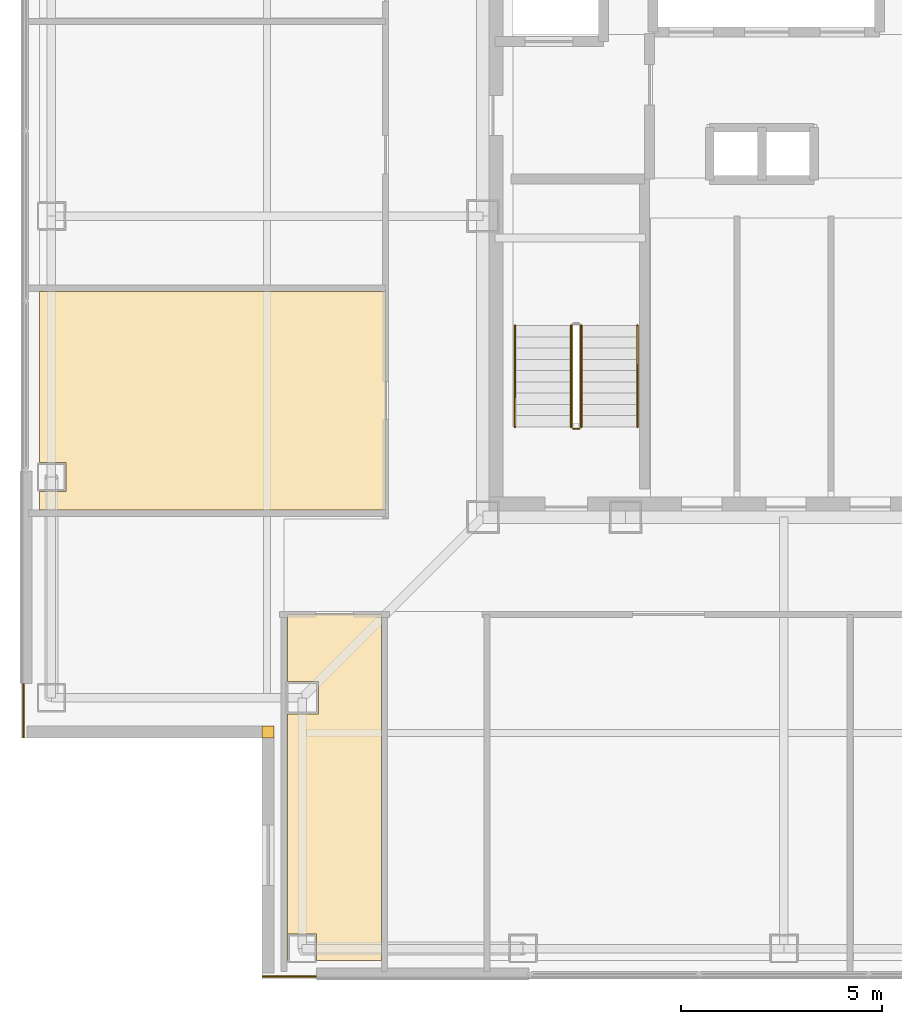
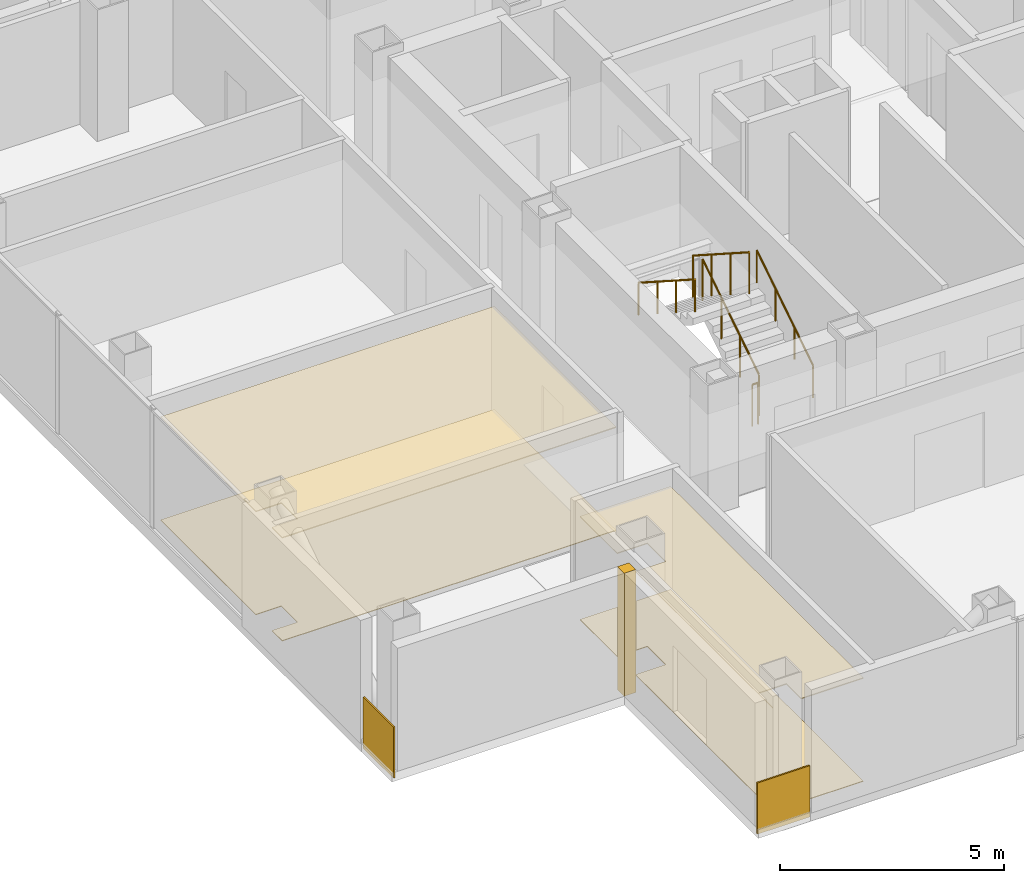
# One storey, part 11 of 16: 7 coverings, 5 railings.
"""IFC4 building model written with IfcOpenShell, lengths in metres."""

from ifc_helpers import new_model, si_unit, direction, frame, frame_2d, origin, origin_2d, place, context, subcontext, project, spatial, polyline, rectangle, circle, outline, extrude, material, layer, layer_set, type_object, element, save


model = new_model("IFC4")

# Units and contexts
model_context = context("Model", 3, precision=1e-05, world=origin(), true_north=direction((0.0, 1.0)))
body_context = subcontext(model_context, "Body", "Model", "MODEL_VIEW")
ifc_project = project(units=[si_unit("LENGTHUNIT", "METRE"), si_unit("AREAUNIT", "SQUARE_METRE"), si_unit("VOLUMEUNIT", "CUBIC_METRE"), si_unit("PLANEANGLEUNIT", "RADIAN"), si_unit("MASSUNIT", "GRAM", prefix="KILO")], contexts=[model_context])

# Site, building, storey
site_placement = place(None, origin())
site = spatial("IfcSite", under=ifc_project, at=site_placement, CompositionType="ELEMENT")
building_placement = place(site_placement, origin())
building = spatial("IfcBuilding", under=site, at=building_placement, Name="Trevonay Congress Spire", CompositionType="ELEMENT")
storey_placement = place(building_placement, frame((0.0, 0.0, 279.199951171875)))
storey = spatial("IfcBuildingStorey", under=building, at=storey_placement, Name="L73", CompositionType="ELEMENT", Elevation=279.199951171875)

# Coverings
ifc_material_1 = material(Name="Acoustic Mineral Fibre Board", Category="gypsum")
ifc_layer_1 = layer(ifc_material_1, 0.02490234375, Name="Acoustic Mineral Fibre Board")
ifc_layer_set_1 = layer_set([ifc_layer_1], Name="Acoustic Mineral Fibre Board")
covering_type_1 = type_object("IfcCoveringType", Name="COV-CEIL-ACOUSTIC", PredefinedType="CEILING", material=ifc_layer_set_1)
covering_1_placement = place(storey_placement, frame((0.0, 0.0, 2.81005859375)))
element("IfcCovering", 1, at=covering_1_placement, inside=storey, type_object=covering_type_1, Name="L73 Managing Director Suite Office acoustic suspended ceiling", PredefinedType="CEILING", context=body_context, shape_type="SweptSolid", body=[
    extrude(outline(polyline([(-12.3701171875, -18.550048828125), (-12.3701171875, -12.409912109375), (-11.590087890625, -12.409912109375), (-11.590087890625, -11.590087890625), (-12.3701171875, -11.590087890625), (-12.3701171875, -9.929931640625), (-10.030029296875, -9.929931640625), (-10.030029296875, -18.550048828125), (-11.639892578125, -18.550048828125), (-11.639892578125, -17.889892578125), (-12.360107421875, -17.889892578125), (-12.360107421875, -18.550048828125), (-12.3701171875, -18.550048828125)])), origin(), (0.0, 0.0, 1.0), 0.02490234375),
])
covering_2_placement = place(storey_placement, frame((0.0, 0.0, 2.81005859375)))
element("IfcCovering", 2, at=covering_2_placement, inside=storey, type_object=covering_type_1, Name="L73 Green Bonds Desk Office acoustic suspended ceiling", PredefinedType="CEILING", context=body_context, shape_type="SweptSolid", body=[
    extrude(outline(polyline([(-18.550048828125, -1.8798828125), (-9.929931640625, -1.8798828125), (-9.929931640625, -7.320068359375), (-18.550048828125, -7.320068359375), (-18.550048828125, -6.860107421875), (-17.889892578125, -6.860107421875), (-17.889892578125, -6.139892578125), (-18.550048828125, -6.139892578125), (-18.550048828125, -1.8798828125)])), origin(), (0.0, 0.0, 1.0), 0.02490234375),
])
ifc_material_2 = material(Name="Engineered Oak Flooring", Category="wood")
ifc_layer_2 = layer(ifc_material_2, 0.01806640625, Name="Engineered Oak Flooring")
ifc_layer_set_2 = layer_set([ifc_layer_2], Name="Engineered Oak Flooring")
covering_type_2 = type_object("IfcCoveringType", Name="COV-FLOOR-TIMBER", PredefinedType="FLOORING", material=ifc_layer_set_2)
covering_3_placement = place(storey_placement, origin())
element("IfcCovering", 3, at=covering_3_placement, inside=storey, type_object=covering_type_2, Name="L73 Managing Director Suite Office floor finish", PredefinedType="FLOORING", context=body_context, shape_type="SweptSolid", body=[
    extrude(outline(polyline([(-12.3701171875, -18.550048828125), (-12.3701171875, -12.409912109375), (-11.590087890625, -12.409912109375), (-11.590087890625, -11.590087890625), (-12.3701171875, -11.590087890625), (-12.3701171875, -9.929931640625), (-10.030029296875, -9.929931640625), (-10.030029296875, -18.550048828125), (-11.639892578125, -18.550048828125), (-11.639892578125, -17.889892578125), (-12.360107421875, -17.889892578125), (-12.360107421875, -18.550048828125), (-12.3701171875, -18.550048828125)])), origin(), (0.0, 0.0, 1.0), 0.01806640625),
])
covering_4_placement = place(storey_placement, origin())
element("IfcCovering", 4, at=covering_4_placement, inside=storey, type_object=covering_type_2, Name="L73 Green Bonds Desk Office floor finish", PredefinedType="FLOORING", context=body_context, shape_type="SweptSolid", body=[
    extrude(outline(polyline([(-18.550048828125, -1.8798828125), (-9.929931640625, -1.8798828125), (-9.929931640625, -7.320068359375), (-18.550048828125, -7.320068359375), (-18.550048828125, -6.860107421875), (-17.889892578125, -6.860107421875), (-17.889892578125, -6.139892578125), (-18.550048828125, -6.139892578125), (-18.550048828125, -1.8798828125)])), origin(), (0.0, 0.0, 1.0), 0.01806640625),
])
ifc_material_3 = material(Name="Pale Anodised Aluminium EN AW-6063-T6", Category="aluminium")
ifc_layer_3 = layer(ifc_material_3, 0.0400390625, Name="Pale Anodised Aluminium EN AW-6063-T6")
ifc_layer_set_3 = layer_set([ifc_layer_3], Name="Pale Anodised Aluminium EN AW-6063-T6")
covering_type_3 = type_object("IfcCoveringType", Name="COV-SPANDREL-PALE-METAL", PredefinedType="CLADDING", material=ifc_layer_set_3)
covering_5_placement = place(storey_placement, origin())
element("IfcCovering", 5, at=covering_5_placement, inside=storey, type_object=covering_type_3, Name="L73 SW re-entrant notch corner closure trim", PredefinedType="CLADDING", context=body_context, shape_type="SweptSolid", body=[
    extrude(outline(polyline([(-13.0, -13.0), (-12.699951171875, -13.0), (-12.699951171875, -12.699951171875), (-13.0, -12.699951171875), (-13.0, -13.0)])), origin(), (0.0, 0.0, 1.0), 3.360107421875),
])
for number, where, z_axis, x_axis, name in (
    (6, (-18.93994140625, -11.64990234375, -0.14990234375), (0.0, 0.0, 1.0), (0.0, -1.0, 0.0), "L73 SW corner pier spandrel cladding 1"),
    (7, (-11.64990234375, -18.93994140625, -0.14990234375), (0.0, 0.0, 1.0), (-1.0, 0.0, 0.0), "L73 SW corner pier spandrel cladding 2"),
):
    element("IfcCovering", number, at=place(storey_placement, frame(where, z_axis=z_axis, x_axis=x_axis)), inside=storey, type_object=covering_type_3, Name=name, PredefinedType="CLADDING", context=body_context, shape_type="SweptSolid", body=[
        extrude(rectangle(XDim=1.35009765625, YDim=0.0400390625, at=frame_2d((0.675048828125, 0.0))), origin(), (0.0, 0.0, 1.0), 1.39990234375),
    ])

# Railings
railing_type_1 = type_object("IfcRailingType", Name="RAL-STAIR-GUARD-110", PredefinedType="GUARDRAIL", material=ifc_material_3)
railing_1_placement = place(storey_placement, frame((-5.050048828125, -5.25, 0.179931640625)))
element("IfcRailing", 8, at=railing_1_placement, inside=storey, type_object=railing_type_1, Name="L73 ST-1 stair guard 1", PredefinedType="GUARDRAIL", context=body_context, shape_type="SweptSolid", body=[
    extrude(circle(Radius=0.02392578125, at=origin_2d()), frame((0.0, 0.0, 1.1259765625), z_axis=(0.0, 0.841162588446, 0.540782303519), x_axis=(-1.0, 0.0, 0.0)), (0.0, 0.0, 1.0), 2.995849609375),
    extrude(circle(Radius=0.02099609375, at=origin_2d()), origin(), (0.0, 0.0, 1.0), 1.101806640625),
    extrude(circle(Radius=0.02099609375, at=origin_2d()), frame((0.0, 0.840087890625, 0.5400390625)), (0.0, 0.0, 1.0), 1.101806640625),
    extrude(circle(Radius=0.02099609375, at=origin_2d()), frame((0.0, 1.679931640625, 1.080078125)), (0.0, 0.0, 1.0), 1.101806640625),
    extrude(circle(Radius=0.02099609375, at=origin_2d()), frame((0.0, 2.52001953125, 1.6201171875)), (0.0, 0.0, 1.0), 1.101806640625),
])
railing_2_placement = place(storey_placement, frame((-5.300048828125, -2.72998046875, 1.97998046875)))
element("IfcRailing", 9, at=railing_2_placement, inside=storey, type_object=railing_type_1, Name="L73 ST-1 stair guard 3", PredefinedType="GUARDRAIL", context=body_context, shape_type="SweptSolid", body=[
    extrude(circle(Radius=0.02392578125, at=origin_2d()), frame((0.0, 0.0, 1.1259765625), z_axis=(0.0, -0.841162588446, 0.540782303519), x_axis=(1.0, 0.0, 0.0)), (0.0, 0.0, 1.0), 2.995849609375),
    extrude(circle(Radius=0.02099609375, at=origin_2d()), origin(), (0.0, 0.0, 1.0), 1.101806640625),
    extrude(circle(Radius=0.02099609375, at=origin_2d()), frame((0.0, -0.840087890625, 0.5400390625)), (0.0, 0.0, 1.0), 1.101806640625),
    extrude(circle(Radius=0.02099609375, at=origin_2d()), frame((0.0, -1.679931640625, 1.080078125)), (0.0, 0.0, 1.0), 1.101806640625),
    extrude(circle(Radius=0.02099609375, at=origin_2d()), frame((0.0, -2.52001953125, 1.6201171875)), (0.0, 0.0, 1.0), 1.101806640625),
])
railing_3_placement = place(storey_placement, frame((-5.10009765625, -5.300048828125, 0.0)))
element("IfcRailing", 10, at=railing_3_placement, inside=storey, type_object=railing_type_1, Name="L73 ST-1 stair guard 4", PredefinedType="GUARDRAIL", context=body_context, shape_type="SweptSolid", body=[
    extrude(circle(Radius=0.02392578125, at=origin_2d()), frame((0.0, 0.0, 1.1259765625), z_axis=(-1.0, 0.0, 0.0), x_axis=(0.0, -1.0, 0.0)), (0.0, 0.0, 1.0), 0.14990234375),
    extrude(circle(Radius=0.02099609375, at=origin_2d()), origin(), (0.0, 0.0, 1.0), 1.101806640625),
    extrude(circle(Radius=0.02099609375, at=origin_2d()), frame((-0.14990234375, 0.0, 0.0)), (0.0, 0.0, 1.0), 1.101806640625),
])
railing_type_2 = type_object("IfcRailingType", Name="RAL-STAIR-HANDRAIL", PredefinedType="HANDRAIL", material=ifc_material_3)
railing_4_placement = place(storey_placement, frame((-3.64990234375, -5.25, 0.179931640625)))
element("IfcRailing", 11, at=railing_4_placement, inside=storey, type_object=railing_type_2, Name="L73 ST-1 stair handrail 1", PredefinedType="HANDRAIL", context=body_context, shape_type="SweptSolid", body=[
    extrude(circle(Radius=0.02392578125, at=origin_2d()), frame((0.0, 0.0, 0.8759765625), z_axis=(0.0, 0.841162588446, 0.540782303519), x_axis=(-1.0, 0.0, 0.0)), (0.0, 0.0, 1.0), 2.995849609375),
    extrude(circle(Radius=0.02099609375, at=origin_2d()), origin(), (0.0, 0.0, 1.0), 0.851806640625),
    extrude(circle(Radius=0.02099609375, at=origin_2d()), frame((0.0, 0.840087890625, 0.5400390625)), (0.0, 0.0, 1.0), 0.851806640625),
    extrude(circle(Radius=0.02099609375, at=origin_2d()), frame((0.0, 1.679931640625, 1.080078125)), (0.0, 0.0, 1.0), 0.851806640625),
    extrude(circle(Radius=0.02099609375, at=origin_2d()), frame((0.0, 2.52001953125, 1.6201171875)), (0.0, 0.0, 1.0), 0.851806640625),
])
railing_5_placement = place(storey_placement, frame((-6.699951171875, -2.72998046875, 1.97998046875)))
element("IfcRailing", 12, at=railing_5_placement, inside=storey, type_object=railing_type_2, Name="L73 ST-1 stair handrail 2", PredefinedType="HANDRAIL", context=body_context, shape_type="SweptSolid", body=[
    extrude(circle(Radius=0.02392578125, at=origin_2d()), frame((0.0, 0.0, 0.8759765625), z_axis=(0.0, -0.841162588446, 0.540782303519), x_axis=(1.0, 0.0, 0.0)), (0.0, 0.0, 1.0), 2.995849609375),
    extrude(circle(Radius=0.02099609375, at=origin_2d()), origin(), (0.0, 0.0, 1.0), 0.851806640625),
    extrude(circle(Radius=0.02099609375, at=origin_2d()), frame((0.0, -0.840087890625, 0.5400390625)), (0.0, 0.0, 1.0), 0.851806640625),
    extrude(circle(Radius=0.02099609375, at=origin_2d()), frame((0.0, -1.679931640625, 1.080078125)), (0.0, 0.0, 1.0), 0.851806640625),
    extrude(circle(Radius=0.02099609375, at=origin_2d()), frame((0.0, -2.52001953125, 1.6201171875)), (0.0, 0.0, 1.0), 0.851806640625),
])

save(model, "model.ifc")
